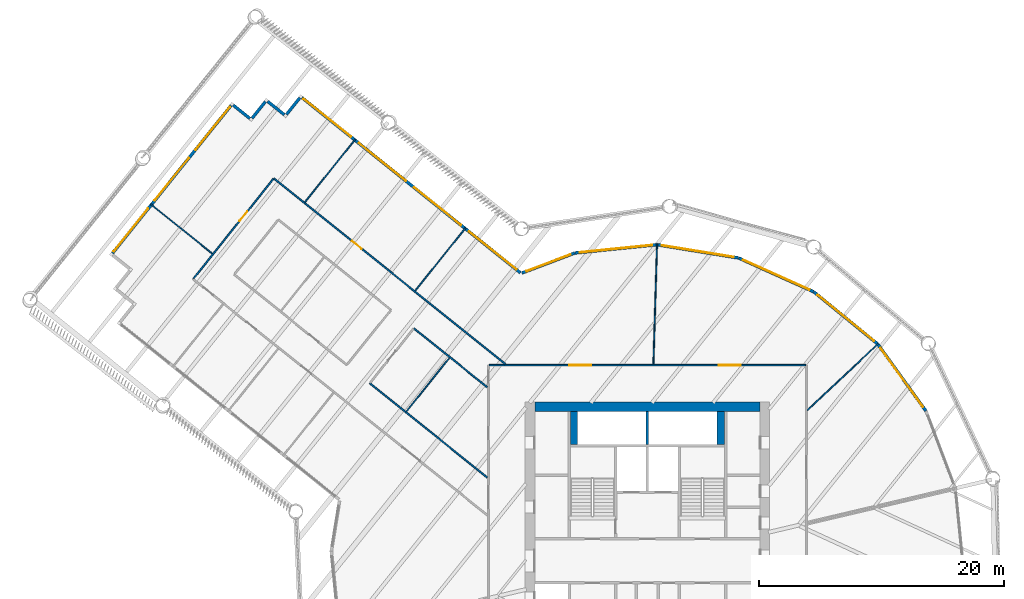
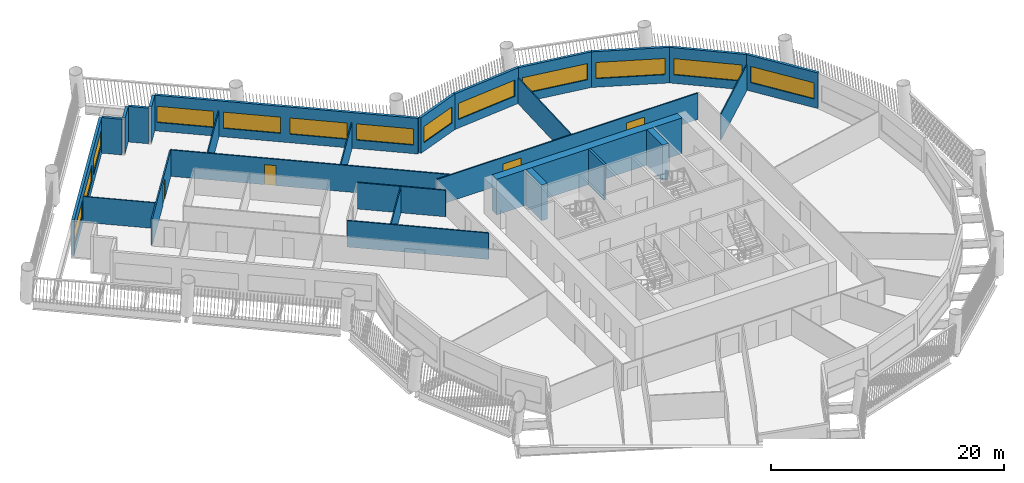
# One storey, part 7 of 16: 27 walls, 13 windows, 4 doors, 17 openings.
"""IFC4 building model written with IfcOpenShell, lengths in metres."""

import ifcopenshell
import ifcopenshell.guid

model = None  # the IFC model being written
_history = None  # IfcOwnerHistory: only IFC2X3 demands one
_inside = {}  # id of a spatial element -> (the spatial element, [elements in it])
_under = {}  # id of a project, library or spatial element -> (it, [spatial elements below it])
_declared = {}  # id of a project -> (the project, [libraries it declares])
_typed = {}  # id of a type object -> (the type object, [elements of that type])
_made_of = {}  # id of a material, layer set ... -> (it, [elements and type objects made of it])


def new_model(schema):
    """Start an empty IFC model of exactly this schema.

    Asked for "IFC4X3", IfcOpenShell would pick the latest addendum, in which some entities
    have other attributes; the version numbers below select the first issue.
    IFC2X3 requires an IfcOwnerHistory on every rooted entity: one is made here for all.
    """
    global model, _history
    if schema == "IFC4X3":
        model = ifcopenshell.file(schema_version=(4, 3, 0, 0))
    else:
        model = ifcopenshell.file(schema=schema)
    _inside.clear()
    _under.clear()
    _declared.clear()
    _typed.clear()
    _made_of.clear()
    _history = None
    if model.schema == "IFC2X3":
        org = make("IfcOrganization", Name="unknown")
        user = make(
            "IfcPersonAndOrganization",
            ThePerson=make("IfcPerson", FamilyName="unknown"),
            TheOrganization=org,
        )
        app = make(
            "IfcApplication",
            ApplicationDeveloper=org,
            Version="unknown",
            ApplicationFullName="unknown",
            ApplicationIdentifier="unknown",
        )
        _history = make(
            "IfcOwnerHistory",
            OwningUser=user,
            OwningApplication=app,
            ChangeAction="ADDED",
            CreationDate=0,
        )
    return model


def make(cls, **values):
    """One entity of the class cls with the attributes given. An attribute that is None is left unset."""
    return model.create_entity(
        cls, **{name: value for name, value in values.items() if value is not None}
    )


def rooted(cls, **values):
    """An entity with a GlobalId (a new one), such as an element, a storey or a relation."""
    return make(cls, GlobalId=ifcopenshell.guid.new(), OwnerHistory=_history, **values)


def si_unit(unit_type, name, prefix=None):
    """IfcSIUnit, for example si_unit("LENGTHUNIT", "METRE", prefix="MILLI")."""
    return make("IfcSIUnit", UnitType=unit_type, Prefix=prefix, Name=name)


def assignment(units):
    """IfcUnitAssignment: the units of a project."""
    return None if units is None else make("IfcUnitAssignment", Units=units)


def point(xyz):
    """IfcCartesianPoint."""
    return None if xyz is None else make("IfcCartesianPoint", Coordinates=xyz)


def direction(xyz):
    """IfcDirection."""
    return None if xyz is None else make("IfcDirection", DirectionRatios=xyz)


def frame(location, z_axis=None, x_axis=None):
    """IfcAxis2Placement3D, a coordinate frame: its origin and axes. An axis left out is left unset."""
    return make(
        "IfcAxis2Placement3D",
        Location=point(location),
        Axis=direction(z_axis),
        RefDirection=direction(x_axis),
    )


def frame_2d(location, x_axis=None):
    """IfcAxis2Placement2D, a coordinate frame in the plane: its origin and x axis."""
    return make(
        "IfcAxis2Placement2D", Location=point(location), RefDirection=direction(x_axis)
    )


def origin():
    """The frame at (0, 0, 0) with its axes left unset."""
    return frame((0.0, 0.0, 0.0))


def place(relative_to, where):
    """IfcLocalPlacement: puts the frame where relative to a parent placement (None: the world)."""
    return make(
        "IfcLocalPlacement", PlacementRelTo=relative_to, RelativePlacement=where
    )


def context(
    kind, dimensions, precision=None, world=None, true_north=None, identifier=None
):
    """IfcGeometricRepresentationContext, for example the 3D "Model" context."""
    return make(
        "IfcGeometricRepresentationContext",
        ContextIdentifier=identifier,
        ContextType=kind,
        CoordinateSpaceDimension=dimensions,
        Precision=precision,
        WorldCoordinateSystem=world,
        TrueNorth=true_north,
    )


def subcontext(parent, identifier, kind, view, scale=None):
    """IfcGeometricRepresentationSubContext, for example "Body" below "Model"."""
    return make(
        "IfcGeometricRepresentationSubContext",
        ContextIdentifier=identifier,
        ContextType=kind,
        ParentContext=parent,
        TargetScale=scale,
        TargetView=view,
    )


def project(units=None, contexts=None):
    """IfcProject with its units and contexts."""
    return rooted(
        "IfcProject",
        Name="project",
        RepresentationContexts=contexts,
        UnitsInContext=assignment(units),
    )


def spatial(cls, under=None, at=None, **own):
    """A site, building, storey or space (cls), placed at a placement, below another one or the project."""
    s = rooted(cls, ObjectPlacement=at, **own)
    if under is not None:
        _under.setdefault(under.id(), (under, []))[1].append(s)
    return s


def profile(cls, at=None, kind="AREA", **sizes):
    """A parametric profile (cls). Its sizes go by their IFC names, for example OverallWidth=200.0."""
    return make(cls, ProfileType=kind, Position=at, **sizes)


def rectangle(**sizes):
    """IfcRectangleProfileDef."""
    return profile("IfcRectangleProfileDef", **sizes)


def extrude(swept, where, along, depth):
    """IfcExtrudedAreaSolid: the profile swept, set in the frame where, extruded along a direction by depth."""
    return make(
        "IfcExtrudedAreaSolid",
        SweptArea=swept,
        Position=where,
        ExtrudedDirection=direction(along),
        Depth=depth,
    )


def shape(context_of_items, identifier, shape_type, items):
    """IfcShapeRepresentation: the items that make up one representation, for example the "Body"."""
    return make(
        "IfcShapeRepresentation",
        ContextOfItems=context_of_items,
        RepresentationIdentifier=identifier,
        RepresentationType=shape_type,
        Items=items,
    )


def material(Name=None, Category=None):
    """IfcMaterial."""
    return make("IfcMaterial", Name=Name, Category=Category)


def layer(
    of_material, thickness, ventilated=None, Name=None, Category=None, Priority=None
):
    """IfcMaterialLayer: one layer of a wall or slab, of a material (None: an air gap)."""
    return make(
        "IfcMaterialLayer",
        Material=of_material,
        LayerThickness=thickness,
        IsVentilated=ventilated,
        Name=Name,
        Category=Category,
        Priority=Priority,
    )


def layer_set(layers, Name=None):
    """IfcMaterialLayerSet."""
    return make("IfcMaterialLayerSet", MaterialLayers=layers, LayerSetName=Name)


def made_of(thing, what):
    """Note that an element or type object is made of a material, layer set ...; save() writes the relation."""
    if what is not None:
        _made_of.setdefault(what.id(), (what, []))[1].append(thing)
    return thing


def type_object(cls, material=None, **own):
    """A type object (cls), such as IfcWallType, which elements share."""
    return made_of(rooted(cls, **own), material)


def element(
    cls,
    number,
    at=None,
    inside=None,
    cuts=None,
    type_object=None,
    material=None,
    context=None,
    identifier="Body",
    shape_type=None,
    held_by="IfcProductDefinitionShape",
    body=None,
    shapes=None,
    **own,
):
    """One element of the class cls, such as IfcWall. Its Tag is "e" and its number.

    at: its placement. inside: the storey or other place that contains it. cuts: it is an
    opening in that element (IfcRelVoidsElement). A single representation is given by context,
    identifier, shape_type and body (its items); several are given by shapes. held_by: the class
    of the entity that holds the representations. save() writes the other relations.
    """
    e = rooted(cls, Tag="e%d" % number, ObjectPlacement=at, **own)
    if body is not None:
        shapes = [shape(context, identifier, shape_type, body)]
    if shapes is not None:
        e.Representation = make(held_by, Representations=shapes)
    if inside is not None:
        _inside.setdefault(inside.id(), (inside, []))[1].append(e)
    if cuts is not None:
        rooted(
            "IfcRelVoidsElement", RelatingBuildingElement=cuts, RelatedOpeningElement=e
        )
    if type_object is not None:
        _typed.setdefault(type_object.id(), (type_object, []))[1].append(e)
    return made_of(e, material)


def fill(opening, filler):
    """IfcRelFillsElement: the door or window that sits in an opening."""
    return rooted(
        "IfcRelFillsElement",
        RelatingOpeningElement=opening,
        RelatedBuildingElement=filler,
    )


def aggregate(whole, parts):
    """IfcRelAggregates: a whole, such as a stair, and the parts it consists of."""
    return rooted("IfcRelAggregates", RelatingObject=whole, RelatedObjects=parts)


def save(model, path):
    """Write the relations noted so far, then the file.

    IfcRelAggregates (storeys below a building ...), IfcRelContainedInSpatialStructure (elements
    in a storey), IfcRelDefinesByType, IfcRelAssociatesMaterial and IfcRelDeclares: one each for
    every whole, place, type object, material and project.
    """
    for whole, parts in _under.values():
        aggregate(whole, parts)
    for where, things in _inside.values():
        rooted(
            "IfcRelContainedInSpatialStructure",
            RelatedElements=things,
            RelatingStructure=where,
        )
    for kind, things in _typed.values():
        rooted("IfcRelDefinesByType", RelatedObjects=things, RelatingType=kind)
    for what, things in _made_of.values():
        rooted("IfcRelAssociatesMaterial", RelatedObjects=things, RelatingMaterial=what)
    for by, libraries in _declared.values():
        rooted("IfcRelDeclares", RelatingContext=by, RelatedDefinitions=libraries)
    model.write(path)


model = new_model("IFC4")

# Units and contexts
model_context = context("Model", 3, precision=1e-05, world=origin(), true_north=direction((0.0, 1.0)))
body_context = subcontext(model_context, "Body", "Model", "MODEL_VIEW")
ifc_project = project(units=[si_unit("LENGTHUNIT", "METRE"), si_unit("AREAUNIT", "SQUARE_METRE"), si_unit("VOLUMEUNIT", "CUBIC_METRE"), si_unit("PLANEANGLEUNIT", "RADIAN"), si_unit("MASSUNIT", "GRAM", prefix="KILO")], contexts=[model_context])

# Site, building, storey
site_placement = place(None, origin())
site = spatial("IfcSite", under=ifc_project, at=site_placement, CompositionType="ELEMENT")
building_placement = place(site_placement, origin())
building = spatial("IfcBuilding", under=site, at=building_placement, Name="Tarsis Ring Headquarters", CompositionType="ELEMENT")
storey_placement = place(building_placement, frame((0.0, 0.0, 112.300048828125)))
storey = spatial("IfcBuildingStorey", under=building, at=storey_placement, Name="L25", CompositionType="ELEMENT", Elevation=112.300048828125)

# Walls
ifc_material_1 = material(Name="Concrete C60/75", Category="concrete")
ifc_layer_1 = layer(ifc_material_1, 0.800048828125)
ifc_layer_set_1 = layer_set([ifc_layer_1], Name="Core wall 800 C60/75")
wall_type_1 = type_object("IfcWallType", Name="Core wall 800 C60/75", PredefinedType="SHEAR", material=ifc_layer_set_1)
wall_1_placement = place(storey_placement, frame((-9.199951171875, 12.60009765625, 0.0), z_axis=(0.0, 0.0, 1.0), x_axis=(1.0, 0.0, 0.0)))
element("IfcWall", 1, at=wall_1_placement, inside=storey, type_object=wall_type_1, Name="Core wall ON", PredefinedType="SHEAR", context=body_context, shape_type="SweptSolid", body=[
    extrude(rectangle(XDim=18.39990234375, YDim=0.800048828125, at=frame_2d((9.199951171875, 0.0))), origin(), (0.0, 0.0, 1.0), 3.739990234375),
])
ifc_material_2 = material(Name="Gypsum board on steel studs", Category="steel")
ifc_layer_2 = layer(ifc_material_2, 0.10009765625)
ifc_layer_set_2 = layer_set([ifc_layer_2], Name="FL partition 100 unrated")
wall_type_2 = type_object("IfcWallType", Name="FL partition 100 unrated", PredefinedType="PARTITIONING", material=ifc_layer_set_2)
wall_2_placement = place(storey_placement, frame((0.48828125, 16.070068359375, 0.0), z_axis=(0.0, 0.0, 1.0), x_axis=(0.030349783945, 0.999539339203, 0.0)))
element("IfcWall", 2, at=wall_2_placement, inside=storey, type_object=wall_type_2, Name="Partition PW3", PredefinedType="PARTITIONING", context=body_context, shape_type="SweptSolid", body=[
    extrude(rectangle(XDim=9.870361328125, YDim=0.10009765625, at=frame_2d((4.93505859375, 0.0))), origin(), (0.0, 0.0, 1.0), 2.699951171875),
])
wall_3_placement = place(storey_placement, frame((13.08740234375, 12.315673828125, 0.0), z_axis=(0.0, 0.0, 1.0), x_axis=(0.728251207418, 0.685310279285, 0.0)))
element("IfcWall", 3, at=wall_3_placement, inside=storey, type_object=wall_type_2, Name="Partition PW3", PredefinedType="PARTITIONING", context=body_context, shape_type="SweptSolid", body=[
    extrude(rectangle(XDim=7.976806640625, YDim=0.10009765625, at=frame_2d((3.98828125, 0.0))), origin(), (0.0, 0.0, 1.0), 2.699951171875),
])
wall_4_placement = place(storey_placement, frame((-28.015625, 29.3359375, 0.0), z_axis=(0.0, 0.0, 1.0), x_axis=(0.625781625079, 0.779998306225, 0.0)))
element("IfcWall", 4, at=wall_4_placement, inside=storey, type_object=wall_type_2, Name="Partition PW3", PredefinedType="PARTITIONING", context=body_context, shape_type="SweptSolid", body=[
    extrude(rectangle(XDim=6.599853515625, YDim=0.10009765625, at=frame_2d((3.2998046875, 0.0))), origin(), (0.0, 0.0, 1.0), 2.699951171875),
])
wall_5_placement = place(storey_placement, frame((-18.9912109375, 22.095458984375, 0.0), z_axis=(0.0, 0.0, 1.0), x_axis=(0.625804129699, 0.779980250552, 0.0)))
element("IfcWall", 5, at=wall_5_placement, inside=storey, type_object=wall_type_2, Name="Partition PW3", PredefinedType="PARTITIONING", context=body_context, shape_type="SweptSolid", body=[
    extrude(rectangle(XDim=6.60009765625, YDim=0.10009765625, at=frame_2d((3.300048828125, 0.0))), origin(), (0.0, 0.0, 1.0), 2.699951171875),
])
wall_6_placement = place(storey_placement, frame((-40.631591796875, 29.175537109375, 0.0), z_axis=(0.0, 0.0, 1.0), x_axis=(0.779999252207, -0.625780445968, 0.0)))
element("IfcWall", 6, at=wall_6_placement, inside=storey, type_object=wall_type_2, Name="Partition PW3", PredefinedType="PARTITIONING", context=body_context, shape_type="SweptSolid", body=[
    extrude(rectangle(XDim=6.469970703125, YDim=0.10009765625, at=frame_2d((3.23486328125, 0.0))), origin(), (0.0, 0.0, 1.0), 2.699951171875),
])
wall_7_placement = place(storey_placement, frame((-19.7138671875, 12.2138671875, 0.0), z_axis=(0.0, 0.0, 1.0), x_axis=(0.625780490719, 0.779999216304, 0.0)))
element("IfcWall", 7, at=wall_7_placement, inside=storey, type_object=wall_type_2, Name="Partition PW3", PredefinedType="PARTITIONING", context=body_context, shape_type="SweptSolid", body=[
    extrude(rectangle(XDim=5.619873046875, YDim=0.10009765625, at=frame_2d((2.81005859375, 0.0))), origin(), (0.0, 0.0, 1.0), 2.699951171875),
])

# Wall, openings, doors
ifc_layer_3 = layer(ifc_material_2, 0.125)
ifc_layer_set_3 = layer_set([ifc_layer_3], Name="FL partition 125 EI 60 H2770")
wall_type_3 = type_object("IfcWallType", Name="FL partition 125 EI 60 H2770", PredefinedType="PARTITIONING", material=ifc_layer_set_3)
wall_8_placement = place(storey_placement, frame((-12.93994140625, 16.0, 0.0), z_axis=(0.0, 0.0, 1.0), x_axis=(1.0, 0.0, 0.0)))
wall_8 = element("IfcWall", 8, at=wall_8_placement, inside=storey, type_object=wall_type_3, Name="Partition PW1", PredefinedType="PARTITIONING", context=body_context, shape_type="SweptSolid", body=[
    extrude(rectangle(XDim=25.8798828125, YDim=0.125, at=frame_2d((12.93994140625, 0.0))), origin(), (0.0, 0.0, 1.0), 2.77001953125),
])
opening_1_placement = place(wall_8_placement, frame((6.530517578125, 0.0, 0.0)))
opening_1 = element("IfcOpeningElement", 9, at=opening_1_placement, cuts=wall_8, Name="Opening D25.04", PredefinedType="OPENING", context=body_context, shape_type="SweptSolid", body=[
    extrude(rectangle(XDim=1.800048828125, YDim=2.10009765625, at=frame_2d((0.89990234375, 1.050048828125))), frame((0.0, 0.072509765625, 0.0), z_axis=(0.0, -1.0, 0.0), x_axis=(1.0, 0.0, 0.0)), (0.0, 0.0, 1.0), 0.14501953125),
])
opening_2_placement = place(wall_8_placement, frame((18.782958984375, 0.0, 0.0)))
opening_2 = element("IfcOpeningElement", 10, at=opening_2_placement, cuts=wall_8, Name="Opening D25.05", PredefinedType="OPENING", context=body_context, shape_type="SweptSolid", body=[
    extrude(rectangle(XDim=1.800048828125, YDim=2.10009765625, at=frame_2d((0.89990234375, 1.050048828125))), frame((0.0, 0.072509765625, 0.0), z_axis=(0.0, -1.0, 0.0), x_axis=(1.0, 0.0, 0.0)), (0.0, 0.0, 1.0), 0.14501953125),
])
ifc_material_3 = material(Name="Fire-rated timber door leaf in steel frame", Category="steel")
door_type_1 = type_object("IfcDoorType", Name="FL door FD60-1800", OperationType="DOUBLE_DOOR_SINGLE_SWING", PredefinedType="DOOR", material=ifc_material_3)
door_1_placement = place(opening_1_placement, origin())
door_1 = element("IfcDoor", 11, at=door_1_placement, inside=storey, type_object=door_type_1, Name="Door D25.04", OperationType="DOUBLE_DOOR_SINGLE_SWING", OverallHeight=2.10009765625, OverallWidth=1.800048828125, PredefinedType="DOOR", context=body_context, shape_type="SweptSolid", body=[
    extrude(rectangle(XDim=1.800048828125, YDim=2.10009765625, at=frame_2d((0.89990234375, 1.050048828125))), frame((0.0, 0.02490234375, 0.0), z_axis=(0.0, -1.0, 0.0), x_axis=(1.0, 0.0, 0.0)), (0.0, 0.0, 1.0), 0.050048828125),
])
fill(opening_1, door_1)
door_2_placement = place(opening_2_placement, origin())
door_2 = element("IfcDoor", 12, at=door_2_placement, inside=storey, type_object=door_type_1, Name="Door D25.05", OperationType="DOUBLE_DOOR_SINGLE_SWING", OverallHeight=2.10009765625, OverallWidth=1.800048828125, PredefinedType="DOOR", context=body_context, shape_type="SweptSolid", body=[
    extrude(rectangle(XDim=1.800048828125, YDim=2.10009765625, at=frame_2d((0.89990234375, 1.050048828125))), frame((0.0, 0.02490234375, 0.0), z_axis=(0.0, -1.0, 0.0), x_axis=(1.0, 0.0, 0.0)), (0.0, 0.0, 1.0), 0.050048828125),
])
fill(opening_2, door_2)

# Wall, opening, door
wall_9_placement = place(storey_placement, frame((-30.555419921875, 31.28369140625, 0.0), z_axis=(0.0, 0.0, 1.0), x_axis=(0.779996324979, -0.625784094572, 0.0)))
wall_9 = element("IfcWall", 13, at=wall_9_placement, inside=storey, type_object=wall_type_3, Name="Partition PW1", PredefinedType="PARTITIONING", context=body_context, shape_type="SweptSolid", body=[
    extrude(rectangle(XDim=24.263427734375, YDim=0.125, at=frame_2d((12.1318359375, 0.0))), origin(), (0.0, 0.0, 1.0), 2.77001953125),
])
opening_3_placement = place(wall_9_placement, frame((8.203857421875, 0.0, 0.0)))
opening_3 = element("IfcOpeningElement", 14, at=opening_3_placement, cuts=wall_9, Name="Opening D25.03", PredefinedType="OPENING", context=body_context, shape_type="SweptSolid", body=[
    extrude(rectangle(XDim=1.0, YDim=2.10009765625, at=frame_2d((0.5, 1.050048828125))), frame((0.0, 0.072509765625, 0.0), z_axis=(0.0, -1.0, 0.0), x_axis=(1.0, 0.0, 0.0)), (0.0, 0.0, 1.0), 0.14501953125),
])
door_type_2 = type_object("IfcDoorType", Name="FL door FD60-1000", OperationType="NOTDEFINED", PredefinedType="DOOR", material=ifc_material_3)
door_3_placement = place(opening_3_placement, origin())
door_3 = element("IfcDoor", 15, at=door_3_placement, inside=storey, type_object=door_type_2, Name="Door D25.03", OperationType="SINGLE_SWING_RIGHT", OverallHeight=2.10009765625, OverallWidth=1.0, PredefinedType="DOOR", context=body_context, shape_type="SweptSolid", body=[
    extrude(rectangle(XDim=1.0, YDim=2.10009765625, at=frame_2d((0.5, 1.050048828125))), frame((0.0, 0.02490234375, 0.0), z_axis=(0.0, -1.0, 0.0), x_axis=(1.0, 0.0, 0.0)), (0.0, 0.0, 1.0), 0.050048828125),
])
fill(opening_3, door_3)

# Wall
wall_10_placement = place(storey_placement, frame((-22.7060546875, 14.524658203125, 0.0), z_axis=(0.0, 0.0, 1.0), x_axis=(0.779992522134, -0.625788834524, 0.0)))
element("IfcWall", 16, at=wall_10_placement, inside=storey, type_object=wall_type_3, Name="Partition PW1", PredefinedType="PARTITIONING", context=body_context, shape_type="SweptSolid", body=[
    extrude(rectangle(XDim=12.323974609375, YDim=0.125, at=frame_2d((6.162109375, 0.0))), origin(), (0.0, 0.0, 1.0), 2.77001953125),
])

# Wall, opening, door
wall_11_placement = place(storey_placement, frame((-37.126220703125, 23.093994140625, 0.0), z_axis=(0.0, 0.0, 1.0), x_axis=(0.625789547823, 0.779991949853, 0.0)))
wall_11 = element("IfcWall", 17, at=wall_11_placement, inside=storey, type_object=wall_type_3, Name="Partition PW1", PredefinedType="PARTITIONING", context=body_context, shape_type="SweptSolid", body=[
    extrude(rectangle(XDim=10.43994140625, YDim=0.125, at=frame_2d((5.219970703125, 0.0))), origin(), (0.0, 0.0, 1.0), 2.77001953125),
])
opening_4_placement = place(wall_11_placement, frame((6.026611328125, 0.0, 0.0)))
opening_4 = element("IfcOpeningElement", 18, at=opening_4_placement, cuts=wall_11, Name="Opening D25.02", PredefinedType="OPENING", context=body_context, shape_type="SweptSolid", body=[
    extrude(rectangle(XDim=1.0, YDim=2.10009765625, at=frame_2d((0.5, 1.050048828125))), frame((0.0, 0.072509765625, 0.0), z_axis=(0.0, -1.0, 0.0), x_axis=(1.0, 0.0, 0.0)), (0.0, 0.0, 1.0), 0.14501953125),
])
door_4_placement = place(opening_4_placement, origin())
door_4 = element("IfcDoor", 19, at=door_4_placement, inside=storey, type_object=door_type_2, Name="Door D25.02", OperationType="SINGLE_SWING_LEFT", OverallHeight=2.10009765625, OverallWidth=1.0, PredefinedType="DOOR", context=body_context, shape_type="SweptSolid", body=[
    extrude(rectangle(XDim=1.0, YDim=2.10009765625, at=frame_2d((0.5, 1.050048828125))), frame((0.0, 0.02490234375, 0.0), z_axis=(0.0, -1.0, 0.0), x_axis=(1.0, 0.0, 0.0)), (0.0, 0.0, 1.0), 0.050048828125),
])
fill(opening_4, door_4)

# Wall
wall_12_placement = place(storey_placement, frame((-19.1015625, 19.017578125, 0.0), z_axis=(0.0, 0.0, 1.0), x_axis=(0.779989845884, -0.625792170228, 0.0)))
element("IfcWall", 20, at=wall_12_placement, inside=storey, type_object=wall_type_3, Name="Partition PW1", PredefinedType="PARTITIONING", context=body_context, shape_type="SweptSolid", body=[
    extrude(rectangle(XDim=7.70263671875, YDim=0.125, at=frame_2d((3.851318359375, 0.0))), origin(), (0.0, 0.0, 1.0), 2.77001953125),
])

# Wall, opening, window
ifc_material_4 = material(Name="Terracotta clad insulated panel wall", Category="masonry")
ifc_layer_4 = layer(ifc_material_4, 0.25)
ifc_layer_set_4 = layer_set([ifc_layer_4], Name="Facade wall terracotta panel 250")
wall_type_4 = type_object("IfcWallType", Name="Facade wall terracotta panel 250", PredefinedType="STANDARD", material=ifc_layer_set_4)
wall_13_placement = place(storey_placement, frame((22.7802734375, 12.263916015625, 0.0), z_axis=(0.0, 0.0, 1.0), x_axis=(-0.584387969133, 0.811474399801, 0.0)))
wall_13 = element("IfcWall", 21, at=wall_13_placement, inside=storey, type_object=wall_type_4, Name="External wall L25-25", PredefinedType="STANDARD", context=body_context, shape_type="SweptSolid", body=[
    extrude(rectangle(XDim=6.721435546875, YDim=0.25, at=frame_2d((3.36083984375, 0.0))), origin(), (0.0, 0.0, 1.0), 3.739990234375),
])
opening_5_placement = place(wall_13_placement, frame((0.3857421875, 0.0, 0.89990234375)))
opening_5 = element("IfcOpeningElement", 22, at=opening_5_placement, cuts=wall_13, Name="Opening WN07", PredefinedType="OPENING", context=body_context, shape_type="SweptSolid", body=[
    extrude(rectangle(XDim=5.949951171875, YDim=1.699951171875, at=frame_2d((2.97509765625, 0.85009765625))), frame((0.0, 0.135009765625, 0.0), z_axis=(0.0, -1.0, 0.0), x_axis=(1.0, 0.0, 0.0)), (0.0, 0.0, 1.0), 0.27001953125),
])
ifc_material_5 = material(Name="Aluminium framed double glazing", Category="aluminium")
window_type_1 = type_object("IfcWindowType", Name="Facade window 5950 x 1700", PartitioningType="SINGLE_PANEL", PredefinedType="WINDOW", material=ifc_material_5)
window_1_placement = place(opening_5_placement, origin())
window_1 = element("IfcWindow", 23, at=window_1_placement, inside=storey, type_object=window_type_1, Name="Window L25-25.1", OverallHeight=1.699951171875, OverallWidth=5.949951171875, PartitioningType="SINGLE_PANEL", PredefinedType="WINDOW", context=body_context, shape_type="SweptSolid", body=[
    extrude(rectangle(XDim=5.949951171875, YDim=1.699951171875, at=frame_2d((2.97509765625, 0.85009765625))), frame((0.0, 0.030029296875, 0.0), z_axis=(0.0, -1.0, 0.0), x_axis=(1.0, 0.0, 0.0)), (0.0, 0.0, 1.0), 0.06005859375),
])
fill(opening_5, window_1)

wall_14_placement = place(storey_placement, frame((18.830078125, 17.7421875, 0.0), z_axis=(0.0, 0.0, 1.0), x_axis=(-0.774525009661, 0.63254328659, 0.0)))
wall_14 = element("IfcWall", 24, at=wall_14_placement, inside=storey, type_object=wall_type_4, Name="External wall L25-26", PredefinedType="STANDARD", context=body_context, shape_type="SweptSolid", body=[
    extrude(rectangle(XDim=6.7216796875, YDim=0.25, at=frame_2d((3.36083984375, 0.0))), origin(), (0.0, 0.0, 1.0), 3.739990234375),
])
opening_6_placement = place(wall_14_placement, frame((0.3857421875, 0.0, 0.89990234375)))
opening_6 = element("IfcOpeningElement", 25, at=opening_6_placement, cuts=wall_14, Name="Opening WN07", PredefinedType="OPENING", context=body_context, shape_type="SweptSolid", body=[
    extrude(rectangle(XDim=5.949951171875, YDim=1.699951171875, at=frame_2d((2.97509765625, 0.85009765625))), frame((0.0, 0.135009765625, 0.0), z_axis=(0.0, -1.0, 0.0), x_axis=(1.0, 0.0, 0.0)), (0.0, 0.0, 1.0), 0.27001953125),
])
window_2_placement = place(opening_6_placement, origin())
window_2 = element("IfcWindow", 26, at=window_2_placement, inside=storey, type_object=window_type_1, Name="Window L25-26.1", OverallHeight=1.699951171875, OverallWidth=5.949951171875, PartitioningType="SINGLE_PANEL", PredefinedType="WINDOW", context=body_context, shape_type="SweptSolid", body=[
    extrude(rectangle(XDim=5.949951171875, YDim=1.699951171875, at=frame_2d((2.97509765625, 0.85009765625))), frame((0.0, 0.030029296875, 0.0), z_axis=(0.0, -1.0, 0.0), x_axis=(1.0, 0.0, 0.0)), (0.0, 0.0, 1.0), 0.06005859375),
])
fill(opening_6, window_2)

wall_15_placement = place(storey_placement, frame((13.596435546875, 22.010986328125, 0.0), z_axis=(0.0, 0.0, 1.0), x_axis=(-0.911823614145, 0.410582143654, 0.0)))
wall_15 = element("IfcWall", 27, at=wall_15_placement, inside=storey, type_object=wall_type_4, Name="External wall L25-27", PredefinedType="STANDARD", context=body_context, shape_type="SweptSolid", body=[
    extrude(rectangle(XDim=6.7216796875, YDim=0.25, at=frame_2d((3.36083984375, 0.0))), origin(), (0.0, 0.0, 1.0), 3.739990234375),
])
opening_7_placement = place(wall_15_placement, frame((0.3857421875, 0.0, 0.89990234375)))
opening_7 = element("IfcOpeningElement", 28, at=opening_7_placement, cuts=wall_15, Name="Opening WN07", PredefinedType="OPENING", context=body_context, shape_type="SweptSolid", body=[
    extrude(rectangle(XDim=5.949951171875, YDim=1.699951171875, at=frame_2d((2.97509765625, 0.85009765625))), frame((0.0, 0.135009765625, 0.0), z_axis=(0.0, -1.0, 0.0), x_axis=(1.0, 0.0, 0.0)), (0.0, 0.0, 1.0), 0.27001953125),
])
window_3_placement = place(opening_7_placement, origin())
window_3 = element("IfcWindow", 29, at=window_3_placement, inside=storey, type_object=window_type_1, Name="Window L25-27.1", OverallHeight=1.699951171875, OverallWidth=5.949951171875, PartitioningType="SINGLE_PANEL", PredefinedType="WINDOW", context=body_context, shape_type="SweptSolid", body=[
    extrude(rectangle(XDim=5.949951171875, YDim=1.699951171875, at=frame_2d((2.97509765625, 0.85009765625))), frame((0.0, 0.030029296875, 0.0), z_axis=(0.0, -1.0, 0.0), x_axis=(1.0, 0.0, 0.0)), (0.0, 0.0, 1.0), 0.06005859375),
])
fill(opening_7, window_3)

wall_16_placement = place(storey_placement, frame((7.436279296875, 24.780029296875, 0.0), z_axis=(0.0, 0.0, 1.0), x_axis=(-0.987022670803, 0.160580968117, 0.0)))
wall_16 = element("IfcWall", 30, at=wall_16_placement, inside=storey, type_object=wall_type_4, Name="External wall L25-28", PredefinedType="STANDARD", context=body_context, shape_type="SweptSolid", body=[
    extrude(rectangle(XDim=6.721435546875, YDim=0.25, at=frame_2d((3.36083984375, 0.0))), origin(), (0.0, 0.0, 1.0), 3.739990234375),
])
opening_8_placement = place(wall_16_placement, frame((0.3857421875, 0.0, 0.89990234375)))
opening_8 = element("IfcOpeningElement", 31, at=opening_8_placement, cuts=wall_16, Name="Opening WN07", PredefinedType="OPENING", context=body_context, shape_type="SweptSolid", body=[
    extrude(rectangle(XDim=5.949951171875, YDim=1.699951171875, at=frame_2d((2.97509765625, 0.85009765625))), frame((0.0, 0.135009765625, 0.0), z_axis=(0.0, -1.0, 0.0), x_axis=(1.0, 0.0, 0.0)), (0.0, 0.0, 1.0), 0.27001953125),
])
window_4_placement = place(opening_8_placement, origin())
window_4 = element("IfcWindow", 32, at=window_4_placement, inside=storey, type_object=window_type_1, Name="Window L25-28.1", OverallHeight=1.699951171875, OverallWidth=5.949951171875, PartitioningType="SINGLE_PANEL", PredefinedType="WINDOW", context=body_context, shape_type="SweptSolid", body=[
    extrude(rectangle(XDim=5.949951171875, YDim=1.699951171875, at=frame_2d((2.97509765625, 0.85009765625))), frame((0.0, 0.030029296875, 0.0), z_axis=(0.0, -1.0, 0.0), x_axis=(1.0, 0.0, 0.0)), (0.0, 0.0, 1.0), 0.06005859375),
])
fill(opening_8, window_4)

wall_17_placement = place(storey_placement, frame((0.769287109375, 25.8603515625, 0.0), z_axis=(0.0, 0.0, 1.0), x_axis=(-0.994951595816, -0.100355976317, 0.0)))
wall_17 = element("IfcWall", 33, at=wall_17_placement, inside=storey, type_object=wall_type_4, Name="External wall L25-29", PredefinedType="STANDARD", context=body_context, shape_type="SweptSolid", body=[
    extrude(rectangle(XDim=6.7216796875, YDim=0.25, at=frame_2d((3.36083984375, 0.0))), origin(), (0.0, 0.0, 1.0), 3.739990234375),
])
opening_9_placement = place(wall_17_placement, frame((0.3857421875, 0.0, 0.89990234375)))
opening_9 = element("IfcOpeningElement", 34, at=opening_9_placement, cuts=wall_17, Name="Opening WN07", PredefinedType="OPENING", context=body_context, shape_type="SweptSolid", body=[
    extrude(rectangle(XDim=5.949951171875, YDim=1.699951171875, at=frame_2d((2.97509765625, 0.85009765625))), frame((0.0, 0.135009765625, 0.0), z_axis=(0.0, -1.0, 0.0), x_axis=(1.0, 0.0, 0.0)), (0.0, 0.0, 1.0), 0.27001953125),
])
window_5_placement = place(opening_9_placement, origin())
window_5 = element("IfcWindow", 35, at=window_5_placement, inside=storey, type_object=window_type_1, Name="Window L25-29.1", OverallHeight=1.699951171875, OverallWidth=5.949951171875, PartitioningType="SINGLE_PANEL", PredefinedType="WINDOW", context=body_context, shape_type="SweptSolid", body=[
    extrude(rectangle(XDim=5.949951171875, YDim=1.699951171875, at=frame_2d((2.97509765625, 0.85009765625))), frame((0.0, 0.030029296875, 0.0), z_axis=(0.0, -1.0, 0.0), x_axis=(1.0, 0.0, 0.0)), (0.0, 0.0, 1.0), 0.06005859375),
])
fill(opening_9, window_5)

wall_18_placement = place(storey_placement, frame((-5.9501953125, 25.17822265625, 0.0), z_axis=(0.0, 0.0, 1.0), x_axis=(-0.935076095353, -0.354447028341, 0.0)))
wall_18 = element("IfcWall", 36, at=wall_18_placement, inside=storey, type_object=wall_type_4, Name="External wall L25-30", PredefinedType="STANDARD", context=body_context, shape_type="SweptSolid", body=[
    extrude(rectangle(XDim=4.61767578125, YDim=0.25, at=frame_2d((2.308837890625, 0.0))), origin(), (0.0, 0.0, 1.0), 3.739990234375),
])
opening_10_placement = place(wall_18_placement, frame((0.367431640625, 0.0, 0.89990234375)))
opening_10 = element("IfcOpeningElement", 37, at=opening_10_placement, cuts=wall_18, Name="Opening WN02", PredefinedType="OPENING", context=body_context, shape_type="SweptSolid", body=[
    extrude(rectangle(XDim=3.85009765625, YDim=1.699951171875, at=frame_2d((1.925048828125, 0.85009765625))), frame((0.0, 0.135009765625, 0.0), z_axis=(0.0, -1.0, 0.0), x_axis=(1.0, 0.0, 0.0)), (0.0, 0.0, 1.0), 0.27001953125),
])
window_type_2 = type_object("IfcWindowType", Name="Facade window 3850 x 1700", PartitioningType="SINGLE_PANEL", PredefinedType="WINDOW", material=ifc_material_5)
window_6_placement = place(opening_10_placement, origin())
window_6 = element("IfcWindow", 38, at=window_6_placement, inside=storey, type_object=window_type_2, Name="Window L25-30.1", OverallHeight=1.699951171875, OverallWidth=3.85009765625, PartitioningType="SINGLE_PANEL", PredefinedType="WINDOW", context=body_context, shape_type="SweptSolid", body=[
    extrude(rectangle(XDim=3.85009765625, YDim=1.699951171875, at=frame_2d((1.925048828125, 0.85009765625))), frame((0.0, 0.030029296875, 0.0), z_axis=(0.0, -1.0, 0.0), x_axis=(1.0, 0.0, 0.0)), (0.0, 0.0, 1.0), 0.06005859375),
])
fill(opening_10, window_6)

# Wall, openings, windows
wall_19_placement = place(storey_placement, frame((-10.390625, 23.560791015625, 0.0), z_axis=(0.0, 0.0, 1.0), x_axis=(-0.779993354876, 0.62578779658, 0.0)))
wall_19 = element("IfcWall", 39, at=wall_19_placement, inside=storey, type_object=wall_type_4, Name="External wall L25-31", PredefinedType="STANDARD", context=body_context, shape_type="SweptSolid", body=[
    extrude(rectangle(XDim=22.901123046875, YDim=0.25, at=frame_2d((11.45068359375, 0.0))), origin(), (0.0, 0.0, 1.0), 3.739990234375),
])
opening_11_placement = place(wall_19_placement, frame((0.4189453125, 0.0, 0.89990234375)))
opening_11 = element("IfcOpeningElement", 40, at=opening_11_placement, cuts=wall_19, Name="Opening WN05", PredefinedType="OPENING", context=body_context, shape_type="SweptSolid", body=[
    extrude(rectangle(XDim=4.949951171875, YDim=1.699951171875, at=frame_2d((2.47509765625, 0.85009765625))), frame((0.0, 0.135009765625, 0.0), z_axis=(0.0, -1.0, 0.0), x_axis=(1.0, 0.0, 0.0)), (0.0, 0.0, 1.0), 0.27001953125),
])
opening_12_placement = place(wall_19_placement, frame((6.206787109375, 0.0, 0.89990234375)))
opening_12 = element("IfcOpeningElement", 41, at=opening_12_placement, cuts=wall_19, Name="Opening WN05", PredefinedType="OPENING", context=body_context, shape_type="SweptSolid", body=[
    extrude(rectangle(XDim=4.949951171875, YDim=1.699951171875, at=frame_2d((2.47509765625, 0.85009765625))), frame((0.0, 0.135009765625, 0.0), z_axis=(0.0, -1.0, 0.0), x_axis=(1.0, 0.0, 0.0)), (0.0, 0.0, 1.0), 0.27001953125),
])
opening_13_placement = place(wall_19_placement, frame((11.99462890625, 0.0, 0.89990234375)))
opening_13 = element("IfcOpeningElement", 42, at=opening_13_placement, cuts=wall_19, Name="Opening WN05", PredefinedType="OPENING", context=body_context, shape_type="SweptSolid", body=[
    extrude(rectangle(XDim=4.949951171875, YDim=1.699951171875, at=frame_2d((2.47509765625, 0.85009765625))), frame((0.0, 0.135009765625, 0.0), z_axis=(0.0, -1.0, 0.0), x_axis=(1.0, 0.0, 0.0)), (0.0, 0.0, 1.0), 0.27001953125),
])
opening_14_placement = place(wall_19_placement, frame((17.782470703125, 0.0, 0.89990234375)))
opening_14 = element("IfcOpeningElement", 43, at=opening_14_placement, cuts=wall_19, Name="Opening WN05", PredefinedType="OPENING", context=body_context, shape_type="SweptSolid", body=[
    extrude(rectangle(XDim=4.949951171875, YDim=1.699951171875, at=frame_2d((2.47509765625, 0.85009765625))), frame((0.0, 0.135009765625, 0.0), z_axis=(0.0, -1.0, 0.0), x_axis=(1.0, 0.0, 0.0)), (0.0, 0.0, 1.0), 0.27001953125),
])
window_type_3 = type_object("IfcWindowType", Name="Facade window 4950 x 1700", PartitioningType="SINGLE_PANEL", PredefinedType="WINDOW", material=ifc_material_5)
window_7_placement = place(opening_11_placement, origin())
window_7 = element("IfcWindow", 44, at=window_7_placement, inside=storey, type_object=window_type_3, Name="Window L25-31.1", OverallHeight=1.699951171875, OverallWidth=4.949951171875, PartitioningType="SINGLE_PANEL", PredefinedType="WINDOW", context=body_context, shape_type="SweptSolid", body=[
    extrude(rectangle(XDim=4.949951171875, YDim=1.699951171875, at=frame_2d((2.47509765625, 0.85009765625))), frame((0.0, 0.030029296875, 0.0), z_axis=(0.0, -1.0, 0.0), x_axis=(1.0, 0.0, 0.0)), (0.0, 0.0, 1.0), 0.06005859375),
])
fill(opening_11, window_7)
window_8_placement = place(opening_12_placement, origin())
window_8 = element("IfcWindow", 45, at=window_8_placement, inside=storey, type_object=window_type_3, Name="Window L25-31.2", OverallHeight=1.699951171875, OverallWidth=4.949951171875, PartitioningType="SINGLE_PANEL", PredefinedType="WINDOW", context=body_context, shape_type="SweptSolid", body=[
    extrude(rectangle(XDim=4.949951171875, YDim=1.699951171875, at=frame_2d((2.47509765625, 0.85009765625))), frame((0.0, 0.030029296875, 0.0), z_axis=(0.0, -1.0, 0.0), x_axis=(1.0, 0.0, 0.0)), (0.0, 0.0, 1.0), 0.06005859375),
])
fill(opening_12, window_8)
window_9_placement = place(opening_13_placement, origin())
window_9 = element("IfcWindow", 46, at=window_9_placement, inside=storey, type_object=window_type_3, Name="Window L25-31.3", OverallHeight=1.699951171875, OverallWidth=4.949951171875, PartitioningType="SINGLE_PANEL", PredefinedType="WINDOW", context=body_context, shape_type="SweptSolid", body=[
    extrude(rectangle(XDim=4.949951171875, YDim=1.699951171875, at=frame_2d((2.47509765625, 0.85009765625))), frame((0.0, 0.030029296875, 0.0), z_axis=(0.0, -1.0, 0.0), x_axis=(1.0, 0.0, 0.0)), (0.0, 0.0, 1.0), 0.06005859375),
])
fill(opening_13, window_9)
window_10_placement = place(opening_14_placement, origin())
window_10 = element("IfcWindow", 47, at=window_10_placement, inside=storey, type_object=window_type_3, Name="Window L25-31.4", OverallHeight=1.699951171875, OverallWidth=4.949951171875, PartitioningType="SINGLE_PANEL", PredefinedType="WINDOW", context=body_context, shape_type="SweptSolid", body=[
    extrude(rectangle(XDim=4.949951171875, YDim=1.699951171875, at=frame_2d((2.47509765625, 0.85009765625))), frame((0.0, 0.030029296875, 0.0), z_axis=(0.0, -1.0, 0.0), x_axis=(1.0, 0.0, 0.0)), (0.0, 0.0, 1.0), 0.06005859375),
])
fill(opening_14, window_10)

# Walls
for number, where, z_axis, x_axis, name in (
    (48, (-28.42919921875, 37.872802734375, 0.0), (0.0, 0.0, 1.0), (-0.625817242921, -0.779969729196, 0.0), "External wall L25-32"),
    (49, (-29.699951171875, 36.48876953125, 0.0), (0.0, 0.0, 1.0), (-0.780037825257, 0.625732363849, 0.0), "External wall L25-33"),
    (50, (-31.24072265625, 37.564453125, 0.0), (0.0, 0.0, 1.0), (-0.625817242921, -0.779969729196, 0.0), "External wall L25-34"),
    (51, (-32.51171875, 36.18017578125, 0.0), (0.0, 0.0, 1.0), (-0.779969729196, 0.625817242921, 0.0), "External wall L25-35"),
):
    element("IfcWall", number, at=place(storey_placement, frame(where, z_axis=z_axis, x_axis=x_axis)), inside=storey, type_object=wall_type_4, Name=name, PredefinedType="STANDARD", context=body_context, shape_type="SweptSolid", body=[
        extrude(rectangle(XDim=1.75, YDim=0.25, at=frame_2d((0.875, 0.0))), origin(), (0.0, 0.0, 1.0), 3.739990234375),
    ])

# Wall, openings, windows
wall_20_placement = place(storey_placement, frame((-34.05224609375, 37.256103515625, 0.0), z_axis=(0.0, 0.0, 1.0), x_axis=(-0.625789323725, -0.779992129647, 0.0)))
wall_20 = element("IfcWall", 52, at=wall_20_placement, inside=storey, type_object=wall_type_4, Name="External wall L25-36", PredefinedType="STANDARD", context=body_context, shape_type="SweptSolid", body=[
    extrude(rectangle(XDim=15.5, YDim=0.25, at=frame_2d((7.75, 0.0))), origin(), (0.0, 0.0, 1.0), 3.739990234375),
])
opening_15_placement = place(wall_20_placement, frame((0.166748046875, 0.0, 0.89990234375)))
opening_15 = element("IfcOpeningElement", 53, at=opening_15_placement, cuts=wall_20, Name="Opening WN04", PredefinedType="OPENING", context=body_context, shape_type="SweptSolid", body=[
    extrude(rectangle(XDim=4.5, YDim=1.699951171875, at=frame_2d((2.25, 0.85009765625))), frame((0.0, 0.135009765625, 0.0), z_axis=(0.0, -1.0, 0.0), x_axis=(1.0, 0.0, 0.0)), (0.0, 0.0, 1.0), 0.27001953125),
])
opening_16_placement = place(wall_20_placement, frame((5.5, 0.0, 0.89990234375)))
opening_16 = element("IfcOpeningElement", 54, at=opening_16_placement, cuts=wall_20, Name="Opening WN04", PredefinedType="OPENING", context=body_context, shape_type="SweptSolid", body=[
    extrude(rectangle(XDim=4.5, YDim=1.699951171875, at=frame_2d((2.25, 0.85009765625))), frame((0.0, 0.135009765625, 0.0), z_axis=(0.0, -1.0, 0.0), x_axis=(1.0, 0.0, 0.0)), (0.0, 0.0, 1.0), 0.27001953125),
])
opening_17_placement = place(wall_20_placement, frame((10.833251953125, 0.0, 0.89990234375)))
opening_17 = element("IfcOpeningElement", 55, at=opening_17_placement, cuts=wall_20, Name="Opening WN04", PredefinedType="OPENING", context=body_context, shape_type="SweptSolid", body=[
    extrude(rectangle(XDim=4.5, YDim=1.699951171875, at=frame_2d((2.25, 0.85009765625))), frame((0.0, 0.135009765625, 0.0), z_axis=(0.0, -1.0, 0.0), x_axis=(1.0, 0.0, 0.0)), (0.0, 0.0, 1.0), 0.27001953125),
])
window_type_4 = type_object("IfcWindowType", Name="Facade window 4500 x 1700", PartitioningType="SINGLE_PANEL", PredefinedType="WINDOW", material=ifc_material_5)
window_11_placement = place(opening_15_placement, origin())
window_11 = element("IfcWindow", 56, at=window_11_placement, inside=storey, type_object=window_type_4, Name="Window L25-36.1", OverallHeight=1.699951171875, OverallWidth=4.5, PartitioningType="SINGLE_PANEL", PredefinedType="WINDOW", context=body_context, shape_type="SweptSolid", body=[
    extrude(rectangle(XDim=4.5, YDim=1.699951171875, at=frame_2d((2.25, 0.85009765625))), frame((0.0, 0.030029296875, 0.0), z_axis=(0.0, -1.0, 0.0), x_axis=(1.0, 0.0, 0.0)), (0.0, 0.0, 1.0), 0.06005859375),
])
fill(opening_15, window_11)
window_12_placement = place(opening_16_placement, origin())
window_12 = element("IfcWindow", 57, at=window_12_placement, inside=storey, type_object=window_type_4, Name="Window L25-36.2", OverallHeight=1.699951171875, OverallWidth=4.5, PartitioningType="SINGLE_PANEL", PredefinedType="WINDOW", context=body_context, shape_type="SweptSolid", body=[
    extrude(rectangle(XDim=4.5, YDim=1.699951171875, at=frame_2d((2.25, 0.85009765625))), frame((0.0, 0.030029296875, 0.0), z_axis=(0.0, -1.0, 0.0), x_axis=(1.0, 0.0, 0.0)), (0.0, 0.0, 1.0), 0.06005859375),
])
fill(opening_16, window_12)
window_13_placement = place(opening_17_placement, origin())
window_13 = element("IfcWindow", 58, at=window_13_placement, inside=storey, type_object=window_type_4, Name="Window L25-36.3", OverallHeight=1.699951171875, OverallWidth=4.5, PartitioningType="SINGLE_PANEL", PredefinedType="WINDOW", context=body_context, shape_type="SweptSolid", body=[
    extrude(rectangle(XDim=4.5, YDim=1.699951171875, at=frame_2d((2.25, 0.85009765625))), frame((0.0, 0.030029296875, 0.0), z_axis=(0.0, -1.0, 0.0), x_axis=(1.0, 0.0, 0.0)), (0.0, 0.0, 1.0), 0.06005859375),
])
fill(opening_17, window_13)

# Walls
ifc_material_6 = material(Name="Concrete C32/40", Category="concrete")
ifc_layer_5 = layer(ifc_material_6, 0.60009765625)
ifc_layer_set_5 = layer_set([ifc_layer_5], Name="Shaft end wall 600 C32/40")
wall_type_5 = type_object("IfcWallType", Name="Shaft end wall 600 C32/40", PredefinedType="SOLIDWALL", material=ifc_layer_set_5)
for number, where, z_axis, x_axis, name in (
    (59, (-6.0, 9.5, 0.0), (0.0, 0.0, 1.0), (0.0, 1.0, 0.0), "Core shaft wall NNE1"),
    (60, (6.0, 9.5, 0.0), (0.0, 0.0, 1.0), (0.0, 1.0, 0.0), "Core shaft wall NNE2"),
):
    element("IfcWall", number, at=place(storey_placement, frame(where, z_axis=z_axis, x_axis=x_axis)), inside=storey, type_object=wall_type_5, Name=name, PredefinedType="SOLIDWALL", context=body_context, shape_type="SweptSolid", body=[
        extrude(rectangle(XDim=2.699951171875, YDim=0.60009765625, at=frame_2d((1.35009765625, 0.0))), origin(), (0.0, 0.0, 1.0), 3.739990234375),
    ])
ifc_layer_6 = layer(ifc_material_6, 0.199951171875)
ifc_layer_set_6 = layer_set([ifc_layer_6], Name="Shaft wall 200 C32/40")
wall_type_6 = type_object("IfcWallType", Name="Shaft wall 200 C32/40", PredefinedType="SOLIDWALL", material=ifc_layer_set_6)
wall_21_placement = place(storey_placement, frame((0.0, 9.5, 0.0), z_axis=(0.0, 0.0, 1.0), x_axis=(0.0, 1.0, 0.0)))
element("IfcWall", 61, at=wall_21_placement, inside=storey, type_object=wall_type_6, Name="Core shaft wall ND2", PredefinedType="SOLIDWALL", context=body_context, shape_type="SweptSolid", body=[
    extrude(rectangle(XDim=2.699951171875, YDim=0.199951171875, at=frame_2d((1.35009765625, 0.0))), origin(), (0.0, 0.0, 1.0), 3.739990234375),
])

save(model, "model.ifc")
